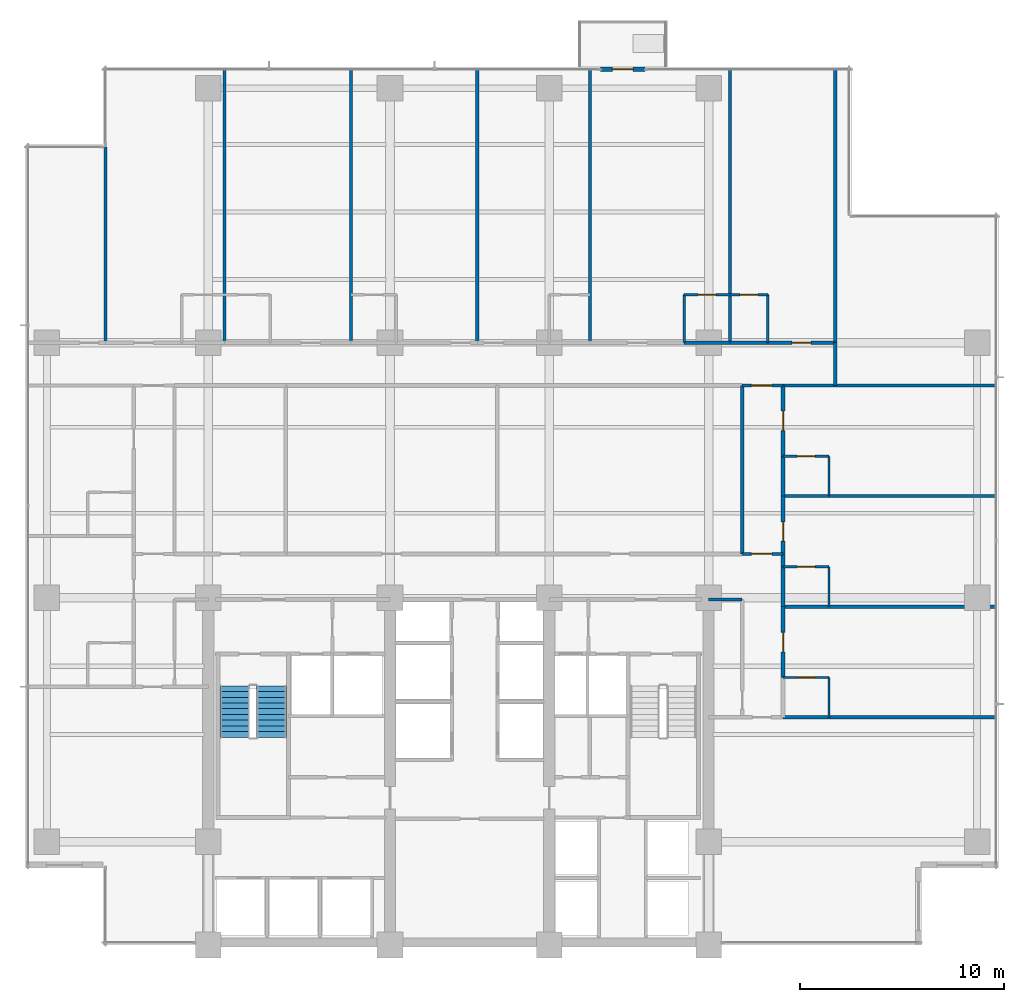
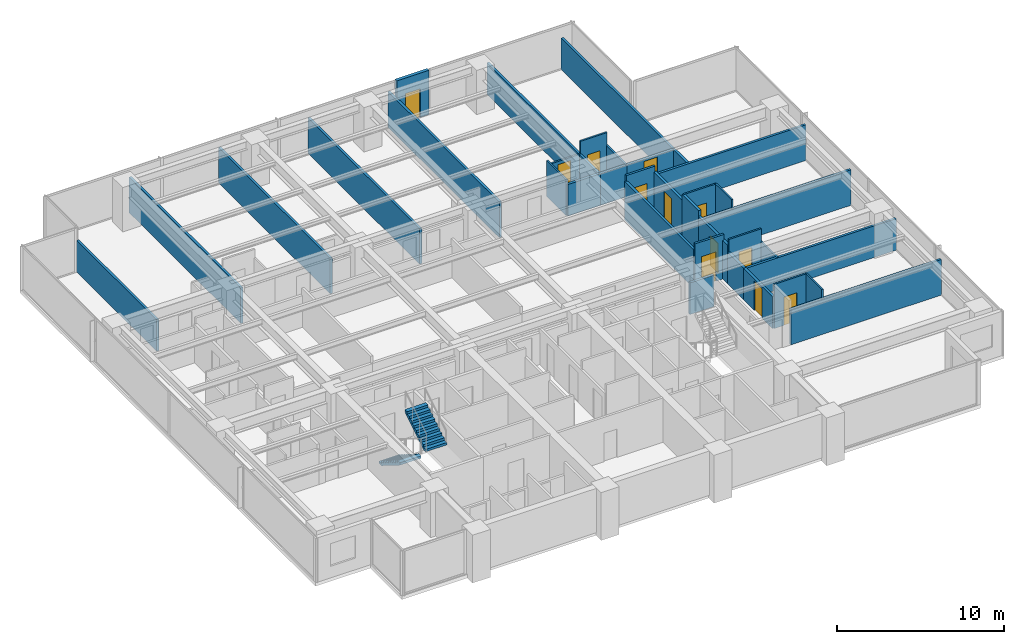
# One storey, part 11 of 17: 35 walls, 12 doors, 2 stair flights, 12 openings, 1 element without a shape of its own.
"""IFC4 building model written with IfcOpenShell, lengths in metres."""

import ifcopenshell
import ifcopenshell.guid

model = None  # the IFC model being written
_history = None  # IfcOwnerHistory: only IFC2X3 demands one
_inside = {}  # id of a spatial element -> (the spatial element, [elements in it])
_under = {}  # id of a project, library or spatial element -> (it, [spatial elements below it])
_declared = {}  # id of a project -> (the project, [libraries it declares])
_typed = {}  # id of a type object -> (the type object, [elements of that type])
_made_of = {}  # id of a material, layer set ... -> (it, [elements and type objects made of it])


def new_model(schema):
    """Start an empty IFC model of exactly this schema.

    Asked for "IFC4X3", IfcOpenShell would pick the latest addendum, in which some entities
    have other attributes; the version numbers below select the first issue.
    IFC2X3 requires an IfcOwnerHistory on every rooted entity: one is made here for all.
    """
    global model, _history
    if schema == "IFC4X3":
        model = ifcopenshell.file(schema_version=(4, 3, 0, 0))
    else:
        model = ifcopenshell.file(schema=schema)
    _inside.clear()
    _under.clear()
    _declared.clear()
    _typed.clear()
    _made_of.clear()
    _history = None
    if model.schema == "IFC2X3":
        org = make("IfcOrganization", Name="unknown")
        user = make(
            "IfcPersonAndOrganization",
            ThePerson=make("IfcPerson", FamilyName="unknown"),
            TheOrganization=org,
        )
        app = make(
            "IfcApplication",
            ApplicationDeveloper=org,
            Version="unknown",
            ApplicationFullName="unknown",
            ApplicationIdentifier="unknown",
        )
        _history = make(
            "IfcOwnerHistory",
            OwningUser=user,
            OwningApplication=app,
            ChangeAction="ADDED",
            CreationDate=0,
        )
    return model


def make(cls, **values):
    """One entity of the class cls with the attributes given. An attribute that is None is left unset."""
    return model.create_entity(
        cls, **{name: value for name, value in values.items() if value is not None}
    )


def rooted(cls, **values):
    """An entity with a GlobalId (a new one), such as an element, a storey or a relation."""
    return make(cls, GlobalId=ifcopenshell.guid.new(), OwnerHistory=_history, **values)


def si_unit(unit_type, name, prefix=None):
    """IfcSIUnit, for example si_unit("LENGTHUNIT", "METRE", prefix="MILLI")."""
    return make("IfcSIUnit", UnitType=unit_type, Prefix=prefix, Name=name)


def assignment(units):
    """IfcUnitAssignment: the units of a project."""
    return None if units is None else make("IfcUnitAssignment", Units=units)


def point(xyz):
    """IfcCartesianPoint."""
    return None if xyz is None else make("IfcCartesianPoint", Coordinates=xyz)


def direction(xyz):
    """IfcDirection."""
    return None if xyz is None else make("IfcDirection", DirectionRatios=xyz)


def frame(location, z_axis=None, x_axis=None):
    """IfcAxis2Placement3D, a coordinate frame: its origin and axes. An axis left out is left unset."""
    return make(
        "IfcAxis2Placement3D",
        Location=point(location),
        Axis=direction(z_axis),
        RefDirection=direction(x_axis),
    )


def frame_2d(location, x_axis=None):
    """IfcAxis2Placement2D, a coordinate frame in the plane: its origin and x axis."""
    return make(
        "IfcAxis2Placement2D", Location=point(location), RefDirection=direction(x_axis)
    )


def origin():
    """The frame at (0, 0, 0) with its axes left unset."""
    return frame((0.0, 0.0, 0.0))


def place(relative_to, where):
    """IfcLocalPlacement: puts the frame where relative to a parent placement (None: the world)."""
    return make(
        "IfcLocalPlacement", PlacementRelTo=relative_to, RelativePlacement=where
    )


def context(
    kind, dimensions, precision=None, world=None, true_north=None, identifier=None
):
    """IfcGeometricRepresentationContext, for example the 3D "Model" context."""
    return make(
        "IfcGeometricRepresentationContext",
        ContextIdentifier=identifier,
        ContextType=kind,
        CoordinateSpaceDimension=dimensions,
        Precision=precision,
        WorldCoordinateSystem=world,
        TrueNorth=true_north,
    )


def subcontext(parent, identifier, kind, view, scale=None):
    """IfcGeometricRepresentationSubContext, for example "Body" below "Model"."""
    return make(
        "IfcGeometricRepresentationSubContext",
        ContextIdentifier=identifier,
        ContextType=kind,
        ParentContext=parent,
        TargetScale=scale,
        TargetView=view,
    )


def project(units=None, contexts=None):
    """IfcProject with its units and contexts."""
    return rooted(
        "IfcProject",
        Name="project",
        RepresentationContexts=contexts,
        UnitsInContext=assignment(units),
    )


def spatial(cls, under=None, at=None, **own):
    """A site, building, storey or space (cls), placed at a placement, below another one or the project."""
    s = rooted(cls, ObjectPlacement=at, **own)
    if under is not None:
        _under.setdefault(under.id(), (under, []))[1].append(s)
    return s


def polyline(points):
    """IfcPolyline through the points."""
    return make("IfcPolyline", Points=[point(p) for p in points])


def profile(cls, at=None, kind="AREA", **sizes):
    """A parametric profile (cls). Its sizes go by their IFC names, for example OverallWidth=200.0."""
    return make(cls, ProfileType=kind, Position=at, **sizes)


def rectangle(**sizes):
    """IfcRectangleProfileDef."""
    return profile("IfcRectangleProfileDef", **sizes)


def outline(outer, holes=None, kind="AREA"):
    """IfcArbitraryClosedProfileDef: a profile drawn as a closed curve; with holes, ...WithVoids."""
    if holes is None:
        return make("IfcArbitraryClosedProfileDef", ProfileType=kind, OuterCurve=outer)
    return make(
        "IfcArbitraryProfileDefWithVoids",
        ProfileType=kind,
        OuterCurve=outer,
        InnerCurves=holes,
    )


def extrude(swept, where, along, depth):
    """IfcExtrudedAreaSolid: the profile swept, set in the frame where, extruded along a direction by depth."""
    return make(
        "IfcExtrudedAreaSolid",
        SweptArea=swept,
        Position=where,
        ExtrudedDirection=direction(along),
        Depth=depth,
    )


def shape(context_of_items, identifier, shape_type, items):
    """IfcShapeRepresentation: the items that make up one representation, for example the "Body"."""
    return make(
        "IfcShapeRepresentation",
        ContextOfItems=context_of_items,
        RepresentationIdentifier=identifier,
        RepresentationType=shape_type,
        Items=items,
    )


def material(Name=None, Category=None):
    """IfcMaterial."""
    return make("IfcMaterial", Name=Name, Category=Category)


def layer(
    of_material, thickness, ventilated=None, Name=None, Category=None, Priority=None
):
    """IfcMaterialLayer: one layer of a wall or slab, of a material (None: an air gap)."""
    return make(
        "IfcMaterialLayer",
        Material=of_material,
        LayerThickness=thickness,
        IsVentilated=ventilated,
        Name=Name,
        Category=Category,
        Priority=Priority,
    )


def layer_set(layers, Name=None):
    """IfcMaterialLayerSet."""
    return make("IfcMaterialLayerSet", MaterialLayers=layers, LayerSetName=Name)


def made_of(thing, what):
    """Note that an element or type object is made of a material, layer set ...; save() writes the relation."""
    if what is not None:
        _made_of.setdefault(what.id(), (what, []))[1].append(thing)
    return thing


def type_object(cls, material=None, **own):
    """A type object (cls), such as IfcWallType, which elements share."""
    return made_of(rooted(cls, **own), material)


def element(
    cls,
    number,
    at=None,
    inside=None,
    cuts=None,
    type_object=None,
    material=None,
    context=None,
    identifier="Body",
    shape_type=None,
    held_by="IfcProductDefinitionShape",
    body=None,
    shapes=None,
    **own,
):
    """One element of the class cls, such as IfcWall. Its Tag is "e" and its number.

    at: its placement. inside: the storey or other place that contains it. cuts: it is an
    opening in that element (IfcRelVoidsElement). A single representation is given by context,
    identifier, shape_type and body (its items); several are given by shapes. held_by: the class
    of the entity that holds the representations. save() writes the other relations.
    """
    e = rooted(cls, Tag="e%d" % number, ObjectPlacement=at, **own)
    if body is not None:
        shapes = [shape(context, identifier, shape_type, body)]
    if shapes is not None:
        e.Representation = make(held_by, Representations=shapes)
    if inside is not None:
        _inside.setdefault(inside.id(), (inside, []))[1].append(e)
    if cuts is not None:
        rooted(
            "IfcRelVoidsElement", RelatingBuildingElement=cuts, RelatedOpeningElement=e
        )
    if type_object is not None:
        _typed.setdefault(type_object.id(), (type_object, []))[1].append(e)
    return made_of(e, material)


def fill(opening, filler):
    """IfcRelFillsElement: the door or window that sits in an opening."""
    return rooted(
        "IfcRelFillsElement",
        RelatingOpeningElement=opening,
        RelatedBuildingElement=filler,
    )


def aggregate(whole, parts):
    """IfcRelAggregates: a whole, such as a stair, and the parts it consists of."""
    return rooted("IfcRelAggregates", RelatingObject=whole, RelatedObjects=parts)


def save(model, path):
    """Write the relations noted so far, then the file.

    IfcRelAggregates (storeys below a building ...), IfcRelContainedInSpatialStructure (elements
    in a storey), IfcRelDefinesByType, IfcRelAssociatesMaterial and IfcRelDeclares: one each for
    every whole, place, type object, material and project.
    """
    for whole, parts in _under.values():
        aggregate(whole, parts)
    for where, things in _inside.values():
        rooted(
            "IfcRelContainedInSpatialStructure",
            RelatedElements=things,
            RelatingStructure=where,
        )
    for kind, things in _typed.values():
        rooted("IfcRelDefinesByType", RelatedObjects=things, RelatingType=kind)
    for what, things in _made_of.values():
        rooted("IfcRelAssociatesMaterial", RelatedObjects=things, RelatingMaterial=what)
    for by, libraries in _declared.values():
        rooted("IfcRelDeclares", RelatingContext=by, RelatedDefinitions=libraries)
    model.write(path)


model = new_model("IFC4")

# Units and contexts
model_context = context("Model", 3, precision=1e-05, world=origin(), true_north=direction((0.0, 1.0)))
body_context = subcontext(model_context, "Body", "Model", "MODEL_VIEW")
ifc_project = project(units=[si_unit("LENGTHUNIT", "METRE"), si_unit("AREAUNIT", "SQUARE_METRE"), si_unit("VOLUMEUNIT", "CUBIC_METRE"), si_unit("PLANEANGLEUNIT", "RADIAN"), si_unit("MASSUNIT", "GRAM", prefix="KILO")], contexts=[model_context])

# Site, building, storey
site_placement = place(None, origin())
site = spatial("IfcSite", under=ifc_project, at=site_placement, CompositionType="ELEMENT")
building_placement = place(site_placement, origin())
building = spatial("IfcBuilding", under=site, at=building_placement, Name="Qalmaran Belvedere Hotel", CompositionType="ELEMENT")
storey_placement = place(building_placement, frame((0.0, 0.0, 102.199951171875)))
storey = spatial("IfcBuildingStorey", under=building, at=storey_placement, Name="L25", CompositionType="ELEMENT", Elevation=102.199951171875)

# Wall, opening, door
ifc_material_1 = material(Name="Anodised Bronze Cladding")
ifc_layer_1 = layer(ifc_material_1, 0.22509765625, Name="Anodised Bronze Cladding")
ifc_layer_set_1 = layer_set([ifc_layer_1], Name="Anodised Bronze Cladding")
wall_type_1 = type_object("IfcWallType", Name="WL-BAL-PORT-225", PredefinedType="SOLIDWALL", material=ifc_layer_set_1)
wall_1_placement = place(storey_placement, frame((39.5, 46.3798828125, 0.0), z_axis=(0.0, 0.0, 1.0), x_axis=(1.0, 0.0, 0.0)))
wall_1 = element("IfcWall", 1, at=wall_1_placement, inside=storey, type_object=wall_type_1, Name="L25 Tree Balcony Door Portal", PredefinedType="SOLIDWALL", context=body_context, shape_type="SweptSolid", body=[
    extrude(rectangle(XDim=2.199951171875, YDim=0.22509765625, at=frame_2d((1.10009765625, 0.0))), origin(), (0.0, 0.0, 1.0), 3.239990234375),
])
opening_1_placement = place(wall_1_placement, frame((0.590087890625, 0.0, 0.0)))
opening_1 = element("IfcOpeningElement", 2, at=opening_1_placement, cuts=wall_1, Name="Opening BL-102", PredefinedType="OPENING", context=body_context, shape_type="SweptSolid", body=[
    extrude(rectangle(XDim=1.02001953125, YDim=2.10009765625, at=frame_2d((0.510009765625, 1.050048828125))), frame((0.0, 0.12255859375, 0.0), z_axis=(0.0, -1.0, 0.0), x_axis=(1.0, 0.0, 0.0)), (0.0, 0.0, 1.0), 0.2451171875),
])
ifc_material_2 = material(Name="Anodised Bronze Aluminium", Category="aluminium")
door_type_1 = type_object("IfcDoorType", Name="DR-BAL-1020X2100", OperationType="NOTDEFINED", PredefinedType="DOOR", material=ifc_material_2)
door_1_placement = place(opening_1_placement, origin())
door_1 = element("IfcDoor", 3, at=door_1_placement, inside=storey, type_object=door_type_1, Name="L25 Planted Tree Balcony Door", OperationType="SINGLE_SWING_RIGHT", OverallHeight=2.10009765625, OverallWidth=1.02001953125, PredefinedType="DOOR", context=body_context, shape_type="SweptSolid", body=[
    extrude(rectangle(XDim=1.02001953125, YDim=2.10009765625, at=frame_2d((0.510009765625, 1.050048828125))), frame((0.0, 0.02490234375, 0.0), z_axis=(0.0, -1.0, 0.0), x_axis=(1.0, 0.0, 0.0)), (0.0, 0.0, 1.0), 0.050048828125),
])
fill(opening_1, door_1)

ifc_material_3 = material(Name="Moisture-Resistant Gypsum")
ifc_layer_2 = layer(ifc_material_3, 0.1201171875, Name="Moisture-Resistant Gypsum")
ifc_layer_set_2 = layer_set([ifc_layer_2], Name="Moisture-Resistant Gypsum")
wall_type_2 = type_object("IfcWallType", Name="WL-INT-120-BATH", PredefinedType="PARTITIONING", material=ifc_layer_set_2)
wall_2_placement = place(storey_placement, frame((43.6044921875, 35.35009765625, 0.0), z_axis=(0.0, 0.0, 1.0), x_axis=(1.0, 0.0, 0.0)))
wall_2 = element("IfcWall", 4, at=wall_2_placement, inside=storey, type_object=wall_type_2, Name="L25 Partition WL-L25-NBN04", PredefinedType="PARTITIONING", context=body_context, shape_type="SweptSolid", body=[
    extrude(rectangle(XDim=2.25, YDim=0.1201171875, at=frame_2d((1.125, 0.0))), origin(), (0.0, 0.0, 1.0), 2.31298828125),
])
opening_2_placement = place(wall_2_placement, frame((1.56494140625, 0.0, 0.0), z_axis=(0.0, 0.0, 1.0), x_axis=(-1.0, 0.0, 0.0)))
opening_2 = element("IfcOpeningElement", 5, at=opening_2_placement, cuts=wall_2, Name="Opening D-BATH", PredefinedType="OPENING", context=body_context, shape_type="SweptSolid", body=[
    extrude(rectangle(XDim=0.8798828125, YDim=2.080078125, at=frame_2d((0.43994140625, 1.0400390625))), frame((0.0, 0.070068359375, 0.0), z_axis=(0.0, -1.0, 0.0), x_axis=(1.0, 0.0, 0.0)), (0.0, 0.0, 1.0), 0.14013671875),
])
ifc_material_4 = material(Name="Engineered Oak Veneer")
door_type_2 = type_object("IfcDoorType", Name="DR-INT-BATH-880X2080", OperationType="NOTDEFINED", PredefinedType="DOOR", material=ifc_material_4)
door_2_placement = place(opening_2_placement, origin())
door_2 = element("IfcDoor", 6, at=door_2_placement, inside=storey, type_object=door_type_2, Name="L25 Ensuite Bathroom Door N05", OperationType="SINGLE_SWING_RIGHT", OverallHeight=2.080078125, OverallWidth=0.8798828125, PredefinedType="DOOR", context=body_context, shape_type="SweptSolid", body=[
    extrude(rectangle(XDim=0.8798828125, YDim=2.080078125, at=frame_2d((0.43994140625, 1.0400390625))), frame((0.0, 0.02490234375, 0.0), z_axis=(0.0, -1.0, 0.0), x_axis=(1.0, 0.0, 0.0)), (0.0, 0.0, 1.0), 0.050048828125),
])
fill(opening_2, door_2)

# Wall
wall_3_placement = place(storey_placement, frame((43.6044921875, 33.0, 0.0), z_axis=(0.0, 0.0, 1.0), x_axis=(0.0, 1.0, 0.0)))
element("IfcWall", 7, at=wall_3_placement, inside=storey, type_object=wall_type_2, Name="L25 Partition WL-L25-NBS04", PredefinedType="PARTITIONING", context=body_context, shape_type="SweptSolid", body=[
    extrude(rectangle(XDim=2.35009765625, YDim=0.1201171875, at=frame_2d((1.175048828125, 0.0))), origin(), (0.0, 0.0, 1.0), 2.614013671875),
])

# Wall, opening, door
wall_4_placement = place(storey_placement, frame((45.8544921875, 35.35009765625, 0.0), z_axis=(0.0, 0.0, 1.0), x_axis=(1.0, 0.0, 0.0)))
wall_4 = element("IfcWall", 8, at=wall_4_placement, inside=storey, type_object=wall_type_2, Name="L25 Partition WL-L25-NBN05", PredefinedType="PARTITIONING", context=body_context, shape_type="SweptSolid", body=[
    extrude(rectangle(XDim=1.849853515625, YDim=0.1201171875, at=frame_2d((0.9248046875, 0.0))), origin(), (0.0, 0.0, 1.0), 3.239990234375),
])
opening_3_placement = place(wall_4_placement, frame((1.364990234375, 0.0, 0.0), z_axis=(0.0, 0.0, 1.0), x_axis=(-1.0, 0.0, 0.0)))
opening_3 = element("IfcOpeningElement", 9, at=opening_3_placement, cuts=wall_4, Name="Opening D-BATH", PredefinedType="OPENING", context=body_context, shape_type="SweptSolid", body=[
    extrude(rectangle(XDim=0.8798828125, YDim=2.080078125, at=frame_2d((0.43994140625, 1.0400390625))), frame((0.0, 0.070068359375, 0.0), z_axis=(0.0, -1.0, 0.0), x_axis=(1.0, 0.0, 0.0)), (0.0, 0.0, 1.0), 0.14013671875),
])
door_3_placement = place(opening_3_placement, origin())
door_3 = element("IfcDoor", 10, at=door_3_placement, inside=storey, type_object=door_type_2, Name="L25 Ensuite Bathroom Door N06", OperationType="SINGLE_SWING_RIGHT", OverallHeight=2.080078125, OverallWidth=0.8798828125, PredefinedType="DOOR", context=body_context, shape_type="SweptSolid", body=[
    extrude(rectangle(XDim=0.8798828125, YDim=2.080078125, at=frame_2d((0.43994140625, 1.0400390625))), frame((0.0, 0.02490234375, 0.0), z_axis=(0.0, -1.0, 0.0), x_axis=(1.0, 0.0, 0.0)), (0.0, 0.0, 1.0), 0.050048828125),
])
fill(opening_3, door_3)

# Wall
wall_5_placement = place(storey_placement, frame((47.704345703125, 33.0, 0.0), z_axis=(0.0, 0.0, 1.0), x_axis=(0.0, 1.0, 0.0)))
element("IfcWall", 11, at=wall_5_placement, inside=storey, type_object=wall_type_2, Name="L25 Partition WL-L25-NBS05", PredefinedType="PARTITIONING", context=body_context, shape_type="SweptSolid", body=[
    extrude(rectangle(XDim=2.35009765625, YDim=0.1201171875, at=frame_2d((1.175048828125, 0.0))), origin(), (0.0, 0.0, 1.0), 2.31298828125),
])

# Wall, opening, door
wall_6_placement = place(storey_placement, frame((48.449951171875, 16.60009765625, 0.0), z_axis=(0.0, 0.0, 1.0), x_axis=(1.0, 0.0, 0.0)))
wall_6 = element("IfcWall", 12, at=wall_6_placement, inside=storey, type_object=wall_type_2, Name="L25 Partition WL-L25-EBN00", PredefinedType="PARTITIONING", context=body_context, shape_type="SweptSolid", body=[
    extrude(rectangle(XDim=2.25, YDim=0.1201171875, at=frame_2d((1.125, 0.0))), origin(), (0.0, 0.0, 1.0), 3.239990234375),
])
opening_4_placement = place(wall_6_placement, frame((1.56494140625, 0.0, 0.0), z_axis=(0.0, 0.0, 1.0), x_axis=(-1.0, 0.0, 0.0)))
opening_4 = element("IfcOpeningElement", 13, at=opening_4_placement, cuts=wall_6, Name="Opening D-BATH", PredefinedType="OPENING", context=body_context, shape_type="SweptSolid", body=[
    extrude(rectangle(XDim=0.8798828125, YDim=2.080078125, at=frame_2d((0.43994140625, 1.0400390625))), frame((0.0, 0.070068359375, 0.0), z_axis=(0.0, -1.0, 0.0), x_axis=(1.0, 0.0, 0.0)), (0.0, 0.0, 1.0), 0.14013671875),
])
door_4_placement = place(opening_4_placement, origin())
door_4 = element("IfcDoor", 14, at=door_4_placement, inside=storey, type_object=door_type_2, Name="L25 E Ensuite Door 01", OperationType="SINGLE_SWING_RIGHT", OverallHeight=2.080078125, OverallWidth=0.8798828125, PredefinedType="DOOR", context=body_context, shape_type="SweptSolid", body=[
    extrude(rectangle(XDim=0.8798828125, YDim=2.080078125, at=frame_2d((0.43994140625, 1.0400390625))), frame((0.0, 0.02490234375, 0.0), z_axis=(0.0, -1.0, 0.0), x_axis=(1.0, 0.0, 0.0)), (0.0, 0.0, 1.0), 0.050048828125),
])
fill(opening_4, door_4)

# Wall
wall_7_placement = place(storey_placement, frame((50.699951171875, 14.64990234375, 0.0), z_axis=(0.0, 0.0, 1.0), x_axis=(0.0, 1.0, 0.0)))
element("IfcWall", 15, at=wall_7_placement, inside=storey, type_object=wall_type_2, Name="L25 Partition WL-L25-EBS00", PredefinedType="PARTITIONING", context=body_context, shape_type="SweptSolid", body=[
    extrude(rectangle(XDim=1.9501953125, YDim=0.1201171875, at=frame_2d((0.97509765625, 0.0))), origin(), (0.0, 0.0, 1.0), 3.239990234375),
])

# Wall, opening, door
wall_8_placement = place(storey_placement, frame((48.449951171875, 22.0166015625, 0.0), z_axis=(0.0, 0.0, 1.0), x_axis=(1.0, 0.0, 0.0)))
wall_8 = element("IfcWall", 16, at=wall_8_placement, inside=storey, type_object=wall_type_2, Name="L25 Partition WL-L25-EBN01", PredefinedType="PARTITIONING", context=body_context, shape_type="SweptSolid", body=[
    extrude(rectangle(XDim=2.25, YDim=0.1201171875, at=frame_2d((1.125, 0.0))), origin(), (0.0, 0.0, 1.0), 3.239990234375),
])
opening_5_placement = place(wall_8_placement, frame((1.56494140625, 0.0, 0.0), z_axis=(0.0, 0.0, 1.0), x_axis=(-1.0, 0.0, 0.0)))
opening_5 = element("IfcOpeningElement", 17, at=opening_5_placement, cuts=wall_8, Name="Opening D-BATH", PredefinedType="OPENING", context=body_context, shape_type="SweptSolid", body=[
    extrude(rectangle(XDim=0.8798828125, YDim=2.080078125, at=frame_2d((0.43994140625, 1.0400390625))), frame((0.0, 0.070068359375, 0.0), z_axis=(0.0, -1.0, 0.0), x_axis=(1.0, 0.0, 0.0)), (0.0, 0.0, 1.0), 0.14013671875),
])
door_5_placement = place(opening_5_placement, origin())
door_5 = element("IfcDoor", 18, at=door_5_placement, inside=storey, type_object=door_type_2, Name="L25 E Ensuite Door 02", OperationType="SINGLE_SWING_RIGHT", OverallHeight=2.080078125, OverallWidth=0.8798828125, PredefinedType="DOOR", context=body_context, shape_type="SweptSolid", body=[
    extrude(rectangle(XDim=0.8798828125, YDim=2.080078125, at=frame_2d((0.43994140625, 1.0400390625))), frame((0.0, 0.02490234375, 0.0), z_axis=(0.0, -1.0, 0.0), x_axis=(1.0, 0.0, 0.0)), (0.0, 0.0, 1.0), 0.050048828125),
])
fill(opening_5, door_5)

# Wall
wall_9_placement = place(storey_placement, frame((50.699951171875, 20.066650390625, 0.0), z_axis=(0.0, 0.0, 1.0), x_axis=(0.0, 1.0, 0.0)))
element("IfcWall", 19, at=wall_9_placement, inside=storey, type_object=wall_type_2, Name="L25 Partition WL-L25-EBS01", PredefinedType="PARTITIONING", context=body_context, shape_type="SweptSolid", body=[
    extrude(rectangle(XDim=1.949951171875, YDim=0.1201171875, at=frame_2d((0.97509765625, 0.0))), origin(), (0.0, 0.0, 1.0), 2.31298828125),
])

# Wall, opening, door
wall_10_placement = place(storey_placement, frame((48.449951171875, 27.433349609375, 0.0), z_axis=(0.0, 0.0, 1.0), x_axis=(1.0, 0.0, 0.0)))
wall_10 = element("IfcWall", 20, at=wall_10_placement, inside=storey, type_object=wall_type_2, Name="L25 Partition WL-L25-EBN02", PredefinedType="PARTITIONING", context=body_context, shape_type="SweptSolid", body=[
    extrude(rectangle(XDim=2.25, YDim=0.1201171875, at=frame_2d((1.125, 0.0))), origin(), (0.0, 0.0, 1.0), 3.239990234375),
])
opening_6_placement = place(wall_10_placement, frame((1.56494140625, 0.0, 0.0), z_axis=(0.0, 0.0, 1.0), x_axis=(-1.0, 0.0, 0.0)))
opening_6 = element("IfcOpeningElement", 21, at=opening_6_placement, cuts=wall_10, Name="Opening D-BATH", PredefinedType="OPENING", context=body_context, shape_type="SweptSolid", body=[
    extrude(rectangle(XDim=0.8798828125, YDim=2.080078125, at=frame_2d((0.43994140625, 1.0400390625))), frame((0.0, 0.070068359375, 0.0), z_axis=(0.0, -1.0, 0.0), x_axis=(1.0, 0.0, 0.0)), (0.0, 0.0, 1.0), 0.14013671875),
])
door_6_placement = place(opening_6_placement, origin())
door_6 = element("IfcDoor", 22, at=door_6_placement, inside=storey, type_object=door_type_2, Name="L25 E Ensuite Door 03", OperationType="SINGLE_SWING_RIGHT", OverallHeight=2.080078125, OverallWidth=0.8798828125, PredefinedType="DOOR", context=body_context, shape_type="SweptSolid", body=[
    extrude(rectangle(XDim=0.8798828125, YDim=2.080078125, at=frame_2d((0.43994140625, 1.0400390625))), frame((0.0, 0.02490234375, 0.0), z_axis=(0.0, -1.0, 0.0), x_axis=(1.0, 0.0, 0.0)), (0.0, 0.0, 1.0), 0.050048828125),
])
fill(opening_6, door_6)

# Wall
wall_11_placement = place(storey_placement, frame((50.699951171875, 25.4833984375, 0.0), z_axis=(0.0, 0.0, 1.0), x_axis=(0.0, 1.0, 0.0)))
element("IfcWall", 23, at=wall_11_placement, inside=storey, type_object=wall_type_2, Name="L25 Partition WL-L25-EBS02", PredefinedType="PARTITIONING", context=body_context, shape_type="SweptSolid", body=[
    extrude(rectangle(XDim=1.949951171875, YDim=0.1201171875, at=frame_2d((0.97509765625, 0.0))), origin(), (0.0, 0.0, 1.0), 3.239990234375),
])

# Wall, opening, door
ifc_material_5 = material(Name="Gypsum Stud Partition")
ifc_layer_3 = layer(ifc_material_5, 0.14990234375, Name="Gypsum Stud Partition")
ifc_layer_set_3 = layer_set([ifc_layer_3], Name="Gypsum Stud Partition")
wall_type_3 = type_object("IfcWallType", Name="WL-INT-150-EI60", PredefinedType="PARTITIONING", material=ifc_layer_set_3)
wall_12_placement = place(storey_placement, frame((46.449951171875, 22.64990234375, 0.0), z_axis=(0.0, 0.0, 1.0), x_axis=(1.0, 0.0, 0.0)))
wall_12 = element("IfcWall", 24, at=wall_12_placement, inside=storey, type_object=wall_type_3, Name="L25 Partition WL-L25-XCE1", PredefinedType="PARTITIONING", context=body_context, shape_type="SweptSolid", body=[
    extrude(rectangle(XDim=2.0, YDim=0.14990234375, at=frame_2d((1.0, 0.0))), origin(), (0.0, 0.0, 1.0), 3.239990234375),
])
opening_7_placement = place(wall_12_placement, frame((0.449951171875, 0.0, 0.0)))
opening_7 = element("IfcOpeningElement", 25, at=opening_7_placement, cuts=wall_12, Name="Opening FD90B", PredefinedType="OPENING", context=body_context, shape_type="SweptSolid", body=[
    extrude(rectangle(XDim=1.0, YDim=2.14990234375, at=frame_2d((0.5, 1.074951171875))), frame((0.0, 0.0849609375, 0.0), z_axis=(0.0, -1.0, 0.0), x_axis=(1.0, 0.0, 0.0)), (0.0, 0.0, 1.0), 0.169921875),
])
ifc_material_6 = material(Name="Steel S355JR", Category="steel")
door_type_3 = type_object("IfcDoorType", Name="DR-FD90B-1000X2150", OperationType="NOTDEFINED", PredefinedType="DOOR", material=ifc_material_6)
door_7_placement = place(opening_7_placement, origin())
door_7 = element("IfcDoor", 26, at=door_7_placement, inside=storey, type_object=door_type_3, Name="L25 East Corridor Smoke Door S", OperationType="SINGLE_SWING_LEFT", OverallHeight=2.14990234375, OverallWidth=1.0, PredefinedType="DOOR", context=body_context, shape_type="SweptSolid", body=[
    extrude(rectangle(XDim=1.0, YDim=2.14990234375, at=frame_2d((0.5, 1.074951171875))), frame((0.0, 0.02490234375, 0.0), z_axis=(0.0, -1.0, 0.0), x_axis=(1.0, 0.0, 0.0)), (0.0, 0.0, 1.0), 0.050048828125),
])
fill(opening_7, door_7)

wall_13_placement = place(storey_placement, frame((46.449951171875, 30.89990234375, 0.0), z_axis=(0.0, 0.0, 1.0), x_axis=(1.0, 0.0, 0.0)))
wall_13 = element("IfcWall", 27, at=wall_13_placement, inside=storey, type_object=wall_type_3, Name="L25 Partition WL-L25-XCE2", PredefinedType="PARTITIONING", context=body_context, shape_type="SweptSolid", body=[
    extrude(rectangle(XDim=2.0, YDim=0.14990234375, at=frame_2d((1.0, 0.0))), origin(), (0.0, 0.0, 1.0), 3.239990234375),
])
opening_8_placement = place(wall_13_placement, frame((0.449951171875, 0.0, 0.0)))
opening_8 = element("IfcOpeningElement", 28, at=opening_8_placement, cuts=wall_13, Name="Opening FD90B", PredefinedType="OPENING", context=body_context, shape_type="SweptSolid", body=[
    extrude(rectangle(XDim=1.0, YDim=2.14990234375, at=frame_2d((0.5, 1.074951171875))), frame((0.0, 0.0849609375, 0.0), z_axis=(0.0, -1.0, 0.0), x_axis=(1.0, 0.0, 0.0)), (0.0, 0.0, 1.0), 0.169921875),
])
door_8_placement = place(opening_8_placement, origin())
door_8 = element("IfcDoor", 29, at=door_8_placement, inside=storey, type_object=door_type_3, Name="L25 East Corridor Smoke Door N", OperationType="SINGLE_SWING_RIGHT", OverallHeight=2.14990234375, OverallWidth=1.0, PredefinedType="DOOR", context=body_context, shape_type="SweptSolid", body=[
    extrude(rectangle(XDim=1.0, YDim=2.14990234375, at=frame_2d((0.5, 1.074951171875))), frame((0.0, 0.02490234375, 0.0), z_axis=(0.0, -1.0, 0.0), x_axis=(1.0, 0.0, 0.0)), (0.0, 0.0, 1.0), 0.050048828125),
])
fill(opening_8, door_8)

# Walls
ifc_layer_4 = layer(ifc_material_5, 0.159912109375, Name="Gypsum Stud Partition")
ifc_layer_set_4 = layer_set([ifc_layer_4], Name="Gypsum Stud Partition")
wall_type_4 = type_object("IfcWallType", Name="WL-INT-160-EI60", PredefinedType="PARTITIONING", material=ifc_layer_set_4)
wall_14_placement = place(storey_placement, frame((44.800048828125, 20.419921875, 0.0), z_axis=(0.0, 0.0, 1.0), x_axis=(1.0, 0.0, 0.0)))
element("IfcWall", 30, at=wall_14_placement, inside=storey, type_object=wall_type_4, Name="L25 Partition WL-L25-ECLN", PredefinedType="PARTITIONING", context=body_context, shape_type="SweptSolid", body=[
    extrude(rectangle(XDim=1.64990234375, YDim=0.159912109375, at=frame_2d((0.824951171875, 0.0))), origin(), (0.0, 0.0, 1.0), 2.31298828125),
])
wall_15_placement = place(storey_placement, frame((51.0, 30.89990234375, 0.0), z_axis=(0.0, 0.0, 1.0), x_axis=(0.0, 1.0, 0.0)))
element("IfcWall", 31, at=wall_15_placement, inside=storey, type_object=wall_type_4, Name="L25 Partition WL-L25-NCGE", PredefinedType="PARTITIONING", context=body_context, shape_type="SweptSolid", body=[
    extrude(rectangle(XDim=2.10009765625, YDim=0.159912109375, at=frame_2d((1.050048828125, 0.0))), origin(), (0.0, 0.0, 1.0), 2.31298828125),
])
wall_16_placement = place(storey_placement, frame((46.449951171875, 22.64990234375, 0.0), z_axis=(0.0, 0.0, 1.0), x_axis=(0.0, 1.0, 0.0)))
element("IfcWall", 32, at=wall_16_placement, inside=storey, type_object=wall_type_4, Name="L25 Partition WL-L25-MIDVR3", PredefinedType="PARTITIONING", context=body_context, shape_type="SweptSolid", body=[
    extrude(rectangle(XDim=8.25, YDim=0.159912109375, at=frame_2d((4.125, 0.0))), origin(), (0.0, 0.0, 1.0), 2.818115234375),
])
wall_17_placement = place(storey_placement, frame((15.27001953125, 33.0, 0.0), z_axis=(0.0, 0.0, 1.0), x_axis=(0.0, 1.0, 0.0)))
element("IfcWall", 33, at=wall_17_placement, inside=storey, type_object=wall_type_4, Name="L25 Partition WL-L25-NUL", PredefinedType="PARTITIONING", context=body_context, shape_type="SweptSolid", body=[
    extrude(rectangle(XDim=9.580078125, YDim=0.159912109375, at=frame_2d((4.7900390625, 0.0))), origin(), (0.0, 0.0, 1.0), 2.31298828125),
])
for number, where, z_axis, x_axis, name in (
    (34, (21.095703125, 33.0, 0.0), (0.0, 0.0, 1.0), (0.0, 1.0, 0.0), "L25 Partition WL-L25-NUR00"),
    (35, (27.285400390625, 33.0, 0.0), (0.0, 0.0, 1.0), (0.0, 1.0, 0.0), "L25 Partition WL-L25-NUR01"),
    (36, (33.47509765625, 33.0, 0.0), (0.0, 0.0, 1.0), (0.0, 1.0, 0.0), "L25 Partition WL-L25-NUR02"),
    (37, (39.0, 33.0, 0.0), (0.0, 0.0, 1.0), (0.0, 1.0, 0.0), "L25 Partition WL-L25-NUR03"),
):
    element("IfcWall", number, at=place(storey_placement, frame(where, z_axis=z_axis, x_axis=x_axis)), inside=storey, type_object=wall_type_4, Name=name, PredefinedType="PARTITIONING", context=body_context, shape_type="SweptSolid", body=[
        extrude(rectangle(XDim=13.3798828125, YDim=0.159912109375, at=frame_2d((6.68994140625, 0.0))), origin(), (0.0, 0.0, 1.0), 2.60302734375),
    ])
for number, where, z_axis, x_axis, name in (
    (38, (45.8544921875, 33.0, 0.0), (0.0, 0.0, 1.0), (0.0, 1.0, 0.0), "L25 Partition WL-L25-NUR04"),
    (39, (51.0, 33.0, 0.0), (0.0, 0.0, 1.0), (0.0, 1.0, 0.0), "L25 Partition WL-L25-NUR05"),
):
    element("IfcWall", number, at=place(storey_placement, frame(where, z_axis=z_axis, x_axis=x_axis)), inside=storey, type_object=wall_type_4, Name=name, PredefinedType="PARTITIONING", context=body_context, shape_type="SweptSolid", body=[
        extrude(rectangle(XDim=13.3798828125, YDim=0.159912109375, at=frame_2d((6.68994140625, 0.0))), origin(), (0.0, 0.0, 1.0), 2.31298828125),
    ])
wall_18_placement = place(storey_placement, frame((48.449951171875, 14.64990234375, 0.0), z_axis=(0.0, 0.0, 1.0), x_axis=(1.0, 0.0, 0.0)))
element("IfcWall", 40, at=wall_18_placement, inside=storey, type_object=wall_type_4, Name="L25 Partition WL-L25-EBOT", PredefinedType="PARTITIONING", context=body_context, shape_type="SweptSolid", body=[
    extrude(rectangle(XDim=10.429931640625, YDim=0.159912109375, at=frame_2d((5.21484375, 0.0))), origin(), (0.0, 0.0, 1.0), 2.60302734375),
])
wall_19_placement = place(storey_placement, frame((48.449951171875, 20.066650390625, 0.0), z_axis=(0.0, 0.0, 1.0), x_axis=(1.0, 0.0, 0.0)))
element("IfcWall", 41, at=wall_19_placement, inside=storey, type_object=wall_type_4, Name="L25 Partition WL-L25-EU00", PredefinedType="PARTITIONING", context=body_context, shape_type="SweptSolid", body=[
    extrude(rectangle(XDim=10.429931640625, YDim=0.159912109375, at=frame_2d((5.21484375, 0.0))), origin(), (0.0, 0.0, 1.0), 2.31298828125),
])
for number, where, z_axis, x_axis, name in (
    (42, (48.449951171875, 25.4833984375, 0.0), (0.0, 0.0, 1.0), (1.0, 0.0, 0.0), "L25 Partition WL-L25-EU01"),
    (43, (48.449951171875, 30.89990234375, 0.0), (0.0, 0.0, 1.0), (1.0, 0.0, 0.0), "L25 Partition WL-L25-EU02"),
):
    element("IfcWall", number, at=place(storey_placement, frame(where, z_axis=z_axis, x_axis=x_axis)), inside=storey, type_object=wall_type_4, Name=name, PredefinedType="PARTITIONING", context=body_context, shape_type="SweptSolid", body=[
        extrude(rectangle(XDim=10.429931640625, YDim=0.159912109375, at=frame_2d((5.21484375, 0.0))), origin(), (0.0, 0.0, 1.0), 2.60302734375),
    ])
ifc_layer_5 = layer(ifc_material_5, 0.179931640625, Name="Gypsum Stud Partition")
ifc_layer_set_5 = layer_set([ifc_layer_5], Name="Gypsum Stud Partition")
wall_type_5 = type_object("IfcWallType", Name="WL-INT-180-EI60", PredefinedType="PARTITIONING", material=ifc_layer_set_5)
wall_20_placement = place(storey_placement, frame((43.6044921875, 33.0, 0.0), z_axis=(0.0, 0.0, 1.0), x_axis=(1.0, 0.0, 0.0)))
element("IfcWall", 44, at=wall_20_placement, inside=storey, type_object=wall_type_5, Name="L25 Partition WL-L25-NBC04", PredefinedType="PARTITIONING", context=body_context, shape_type="SweptSolid", body=[
    extrude(rectangle(XDim=2.25, YDim=0.179931640625, at=frame_2d((1.125, 0.0))), origin(), (0.0, 0.0, 1.0), 2.31298828125),
])
wall_21_placement = place(storey_placement, frame((45.8544921875, 33.0, 0.0), z_axis=(0.0, 0.0, 1.0), x_axis=(1.0, 0.0, 0.0)))
element("IfcWall", 45, at=wall_21_placement, inside=storey, type_object=wall_type_5, Name="L25 Partition WL-L25-NBC05", PredefinedType="PARTITIONING", context=body_context, shape_type="SweptSolid", body=[
    extrude(rectangle(XDim=1.849853515625, YDim=0.179931640625, at=frame_2d((0.9248046875, 0.0))), origin(), (0.0, 0.0, 1.0), 2.31298828125),
])

# Wall, opening, door
wall_22_placement = place(storey_placement, frame((47.704345703125, 33.0, 0.0), z_axis=(0.0, 0.0, 1.0), x_axis=(1.0, 0.0, 0.0)))
wall_22 = element("IfcWall", 46, at=wall_22_placement, inside=storey, type_object=wall_type_5, Name="L25 Partition WL-L25-NEC05", PredefinedType="PARTITIONING", context=body_context, shape_type="SweptSolid", body=[
    extrude(rectangle(XDim=3.295654296875, YDim=0.179931640625, at=frame_2d((1.64794921875, 0.0))), origin(), (0.0, 0.0, 1.0), 2.31298828125),
])
opening_9_placement = place(wall_22_placement, frame((1.1728515625, 0.0, 0.0)))
opening_9 = element("IfcOpeningElement", 47, at=opening_9_placement, cuts=wall_22, Name="Opening FD60", PredefinedType="OPENING", context=body_context, shape_type="SweptSolid", body=[
    extrude(rectangle(XDim=0.949951171875, YDim=2.14990234375, at=frame_2d((0.47509765625, 1.074951171875))), frame((0.0, 0.10009765625, 0.0), z_axis=(0.0, -1.0, 0.0), x_axis=(1.0, 0.0, 0.0)), (0.0, 0.0, 1.0), 0.199951171875),
])
door_type_4 = type_object("IfcDoorType", Name="DR-FD60-950X2150", OperationType="NOTDEFINED", PredefinedType="DOOR", material=ifc_material_4)
door_9_placement = place(opening_9_placement, origin())
door_9 = element("IfcDoor", 48, at=door_9_placement, inside=storey, type_object=door_type_4, Name="L25 Guest Entrance Door N06", OperationType="SINGLE_SWING_LEFT", OverallHeight=2.14990234375, OverallWidth=0.949951171875, PredefinedType="DOOR", context=body_context, shape_type="SweptSolid", body=[
    extrude(rectangle(XDim=0.949951171875, YDim=2.14990234375, at=frame_2d((0.47509765625, 1.074951171875))), frame((0.0, 0.02490234375, 0.0), z_axis=(0.0, -1.0, 0.0), x_axis=(1.0, 0.0, 0.0)), (0.0, 0.0, 1.0), 0.050048828125),
])
fill(opening_9, door_9)

wall_23_placement = place(storey_placement, frame((48.449951171875, 16.60009765625, 0.0), z_axis=(0.0, 0.0, 1.0), x_axis=(0.0, 1.0, 0.0)))
wall_23 = element("IfcWall", 49, at=wall_23_placement, inside=storey, type_object=wall_type_5, Name="L25 Partition WL-L25-EEC00", PredefinedType="PARTITIONING", context=body_context, shape_type="SweptSolid", body=[
    extrude(rectangle(XDim=3.466552734375, YDim=0.179931640625, at=frame_2d((1.7333984375, 0.0))), origin(), (0.0, 0.0, 1.0), 2.31298828125),
])
opening_10_placement = place(wall_23_placement, frame((2.208251953125, 0.0, 0.0), z_axis=(0.0, 0.0, 1.0), x_axis=(-1.0, 0.0, 0.0)))
opening_10 = element("IfcOpeningElement", 50, at=opening_10_placement, cuts=wall_23, Name="Opening FD60", PredefinedType="OPENING", context=body_context, shape_type="SweptSolid", body=[
    extrude(rectangle(XDim=0.949951171875, YDim=2.14990234375, at=frame_2d((0.47509765625, 1.074951171875))), frame((0.0, 0.10009765625, 0.0), z_axis=(0.0, -1.0, 0.0), x_axis=(1.0, 0.0, 0.0)), (0.0, 0.0, 1.0), 0.199951171875),
])
door_10_placement = place(opening_10_placement, origin())
door_10 = element("IfcDoor", 51, at=door_10_placement, inside=storey, type_object=door_type_4, Name="L25 E Wing Door 01", OperationType="SINGLE_SWING_LEFT", OverallHeight=2.14990234375, OverallWidth=0.949951171875, PredefinedType="DOOR", context=body_context, shape_type="SweptSolid", body=[
    extrude(rectangle(XDim=0.949951171875, YDim=2.14990234375, at=frame_2d((0.47509765625, 1.074951171875))), frame((0.0, 0.02490234375, 0.0), z_axis=(0.0, -1.0, 0.0), x_axis=(1.0, 0.0, 0.0)), (0.0, 0.0, 1.0), 0.050048828125),
])
fill(opening_10, door_10)

# Wall
wall_24_placement = place(storey_placement, frame((48.449951171875, 20.066650390625, 0.0), z_axis=(0.0, 0.0, 1.0), x_axis=(0.0, 1.0, 0.0)))
element("IfcWall", 52, at=wall_24_placement, inside=storey, type_object=wall_type_5, Name="L25 Partition WL-L25-EBC01", PredefinedType="PARTITIONING", context=body_context, shape_type="SweptSolid", body=[
    extrude(rectangle(XDim=1.949951171875, YDim=0.179931640625, at=frame_2d((0.97509765625, 0.0))), origin(), (0.0, 0.0, 1.0), 2.31298828125),
])

# Wall, opening, door
wall_25_placement = place(storey_placement, frame((48.449951171875, 22.0166015625, 0.0), z_axis=(0.0, 0.0, 1.0), x_axis=(0.0, 1.0, 0.0)))
wall_25 = element("IfcWall", 53, at=wall_25_placement, inside=storey, type_object=wall_type_5, Name="L25 Partition WL-L25-EEC01", PredefinedType="PARTITIONING", context=body_context, shape_type="SweptSolid", body=[
    extrude(rectangle(XDim=3.466796875, YDim=0.179931640625, at=frame_2d((1.7333984375, 0.0))), origin(), (0.0, 0.0, 1.0), 2.818115234375),
])
opening_11_placement = place(wall_25_placement, frame((2.208251953125, 0.0, 0.0), z_axis=(0.0, 0.0, 1.0), x_axis=(-1.0, 0.0, 0.0)))
opening_11 = element("IfcOpeningElement", 54, at=opening_11_placement, cuts=wall_25, Name="Opening FD60", PredefinedType="OPENING", context=body_context, shape_type="SweptSolid", body=[
    extrude(rectangle(XDim=0.949951171875, YDim=2.14990234375, at=frame_2d((0.47509765625, 1.074951171875))), frame((0.0, 0.10009765625, 0.0), z_axis=(0.0, -1.0, 0.0), x_axis=(1.0, 0.0, 0.0)), (0.0, 0.0, 1.0), 0.199951171875),
])
door_11_placement = place(opening_11_placement, origin())
door_11 = element("IfcDoor", 55, at=door_11_placement, inside=storey, type_object=door_type_4, Name="L25 E Wing Door 02", OperationType="SINGLE_SWING_LEFT", OverallHeight=2.14990234375, OverallWidth=0.949951171875, PredefinedType="DOOR", context=body_context, shape_type="SweptSolid", body=[
    extrude(rectangle(XDim=0.949951171875, YDim=2.14990234375, at=frame_2d((0.47509765625, 1.074951171875))), frame((0.0, 0.02490234375, 0.0), z_axis=(0.0, -1.0, 0.0), x_axis=(1.0, 0.0, 0.0)), (0.0, 0.0, 1.0), 0.050048828125),
])
fill(opening_11, door_11)

# Wall
wall_26_placement = place(storey_placement, frame((48.449951171875, 25.4833984375, 0.0), z_axis=(0.0, 0.0, 1.0), x_axis=(0.0, 1.0, 0.0)))
element("IfcWall", 56, at=wall_26_placement, inside=storey, type_object=wall_type_5, Name="L25 Partition WL-L25-EBC02", PredefinedType="PARTITIONING", context=body_context, shape_type="SweptSolid", body=[
    extrude(rectangle(XDim=1.949951171875, YDim=0.179931640625, at=frame_2d((0.97509765625, 0.0))), origin(), (0.0, 0.0, 1.0), 3.239990234375),
])

# Wall, opening, door
wall_27_placement = place(storey_placement, frame((48.449951171875, 27.433349609375, 0.0), z_axis=(0.0, 0.0, 1.0), x_axis=(0.0, 1.0, 0.0)))
wall_27 = element("IfcWall", 57, at=wall_27_placement, inside=storey, type_object=wall_type_5, Name="L25 Partition WL-L25-EEC02", PredefinedType="PARTITIONING", context=body_context, shape_type="SweptSolid", body=[
    extrude(rectangle(XDim=3.466552734375, YDim=0.179931640625, at=frame_2d((1.7333984375, 0.0))), origin(), (0.0, 0.0, 1.0), 2.818115234375),
])
opening_12_placement = place(wall_27_placement, frame((2.208251953125, 0.0, 0.0), z_axis=(0.0, 0.0, 1.0), x_axis=(-1.0, 0.0, 0.0)))
opening_12 = element("IfcOpeningElement", 58, at=opening_12_placement, cuts=wall_27, Name="Opening FD60", PredefinedType="OPENING", context=body_context, shape_type="SweptSolid", body=[
    extrude(rectangle(XDim=0.949951171875, YDim=2.14990234375, at=frame_2d((0.47509765625, 1.074951171875))), frame((0.0, 0.10009765625, 0.0), z_axis=(0.0, -1.0, 0.0), x_axis=(1.0, 0.0, 0.0)), (0.0, 0.0, 1.0), 0.199951171875),
])
door_12_placement = place(opening_12_placement, origin())
door_12 = element("IfcDoor", 59, at=door_12_placement, inside=storey, type_object=door_type_4, Name="L25 E Wing Door 03", OperationType="SINGLE_SWING_LEFT", OverallHeight=2.14990234375, OverallWidth=0.949951171875, PredefinedType="DOOR", context=body_context, shape_type="SweptSolid", body=[
    extrude(rectangle(XDim=0.949951171875, YDim=2.14990234375, at=frame_2d((0.47509765625, 1.074951171875))), frame((0.0, 0.02490234375, 0.0), z_axis=(0.0, -1.0, 0.0), x_axis=(1.0, 0.0, 0.0)), (0.0, 0.0, 1.0), 0.050048828125),
])
fill(opening_12, door_12)

# Stair, stair flights
ifc_material_7 = material(Name="Concrete C40/50", Category="concrete")
stair_type = type_object("IfcStairType", Name="STR-ST-1-1450-R1750", PredefinedType="HALF_TURN_STAIR", material=ifc_material_7)
stair_placement = place(storey_placement, origin())
stair = element("IfcStair", 60, at=stair_placement, inside=storey, type_object=stair_type, Name="L25 West Core Exit Stair ST-1", PredefinedType="HALF_TURN_STAIR")
ifc_layer_6 = layer(ifc_material_7, 0.14990234375, Name="Concrete C40/50")
ifc_layer_set_6 = layer_set([ifc_layer_6], Name="Concrete C40/50")
stair_flight_type = type_object("IfcStairFlightType", Name="STF-ST-1-1450-R1750", PredefinedType="STRAIGHT", material=ifc_layer_set_6)
stair_flight_1_placement = place(storey_placement, frame((21.60498046875, 16.18994140625, 0.0), z_axis=(0.0, 0.0, 1.0), x_axis=(0.0, -1.0, 0.0)))
stair_flight_1 = element("IfcStairFlight", 61, at=stair_flight_1_placement, type_object=stair_flight_type, Name="ST-1 flight 1", NumberOfRisers=10, NumberOfTreads=9, PredefinedType="STRAIGHT", RiserHeight=0.175, TreadLength=0.28, context=body_context, shape_type="SweptSolid", body=[
    extrude(outline(polyline([(0.0, 0.0), (0.0, 0.175048828125), (0.280029296875, 0.175048828125), (0.280029296875, 0.35009765625), (0.56005859375, 0.35009765625), (0.56005859375, 0.52490234375), (0.840087890625, 0.52490234375), (0.840087890625, 0.699951171875), (1.1201171875, 0.699951171875), (1.1201171875, 0.875), (1.39990234375, 0.875), (1.39990234375, 1.050048828125), (1.679931640625, 1.050048828125), (1.679931640625, 1.22509765625), (1.9599609375, 1.22509765625), (1.9599609375, 1.39990234375), (2.239990234375, 1.39990234375), (2.239990234375, 1.574951171875), (2.52001953125, 1.574951171875), (2.52001953125, 1.75), (2.52001953125, 1.398193359375), (0.28271484375, 0.0), (0.0, 0.0)])), frame((0.0, 0.72509765625, 0.0), z_axis=(0.0, -1.0, 0.0), x_axis=(1.0, 0.0, 0.0)), (0.0, 0.0, 1.0), 1.449951171875),
])
stair_flight_2_placement = place(storey_placement, frame((23.39501953125, 13.669921875, 1.75), z_axis=(0.0, 0.0, 1.0), x_axis=(0.0, 1.0, 0.0)))
stair_flight_2 = element("IfcStairFlight", 62, at=stair_flight_2_placement, type_object=stair_flight_type, Name="ST-1 flight 2", NumberOfRisers=10, NumberOfTreads=9, PredefinedType="STRAIGHT", RiserHeight=0.175, TreadLength=0.28, context=body_context, shape_type="SweptSolid", body=[
    extrude(outline(polyline([(0.0, 0.0), (0.0, 0.175048828125), (0.280029296875, 0.175048828125), (0.280029296875, 0.35009765625), (0.56005859375, 0.35009765625), (0.56005859375, 0.52490234375), (0.840087890625, 0.52490234375), (0.840087890625, 0.699951171875), (1.1201171875, 0.699951171875), (1.1201171875, 0.875), (1.39990234375, 0.875), (1.39990234375, 1.050048828125), (1.679931640625, 1.050048828125), (1.679931640625, 1.22509765625), (1.9599609375, 1.22509765625), (1.9599609375, 1.39990234375), (2.239990234375, 1.39990234375), (2.239990234375, 1.574951171875), (2.52001953125, 1.574951171875), (2.52001953125, 1.75), (2.52001953125, 1.398193359375), (0.28271484375, 0.0), (0.0, 0.0)])), frame((0.0, 0.72509765625, 0.0), z_axis=(0.0, -1.0, 0.0), x_axis=(1.0, 0.0, 0.0)), (0.0, 0.0, 1.0), 1.449951171875),
])
aggregate(stair, [stair_flight_1, stair_flight_2])

save(model, "model.ifc")
